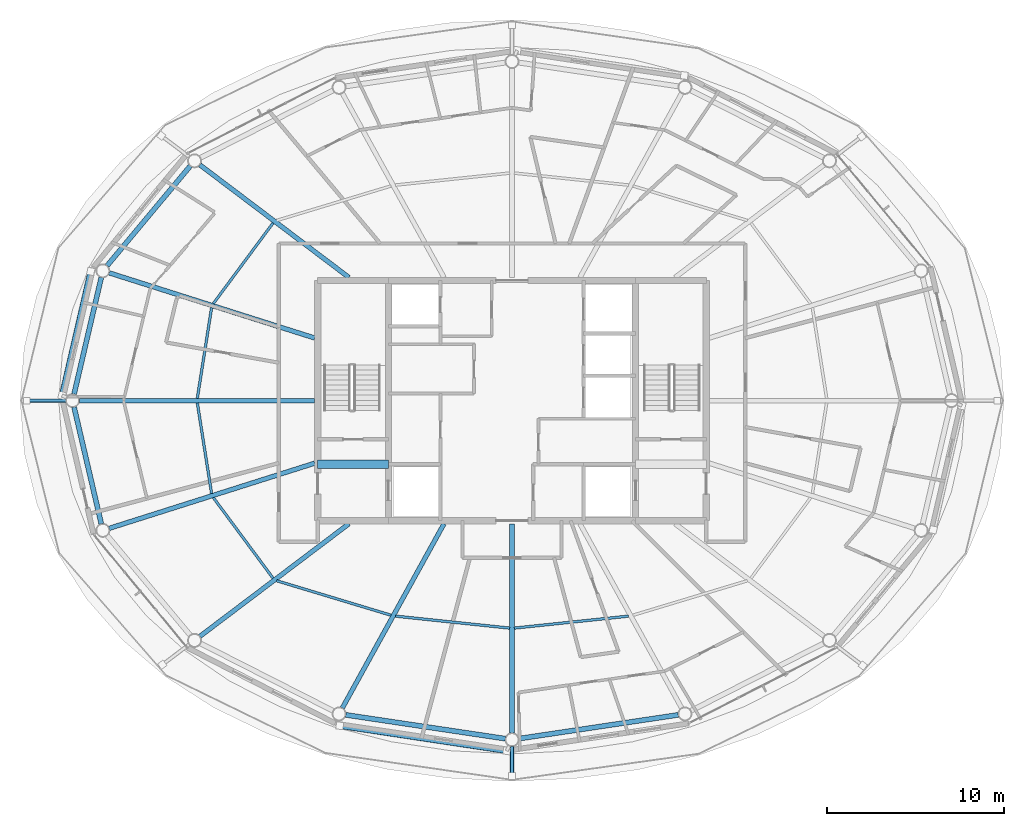
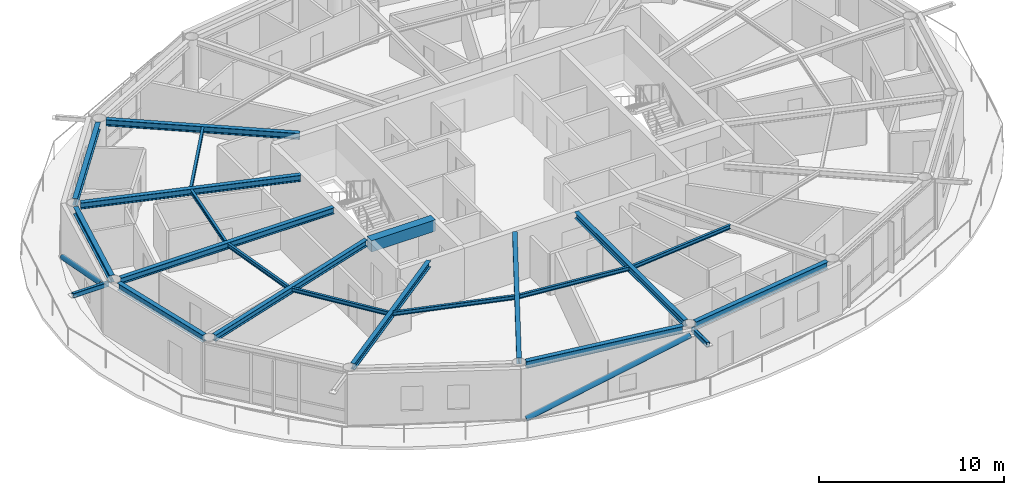
# One storey, part 4 of 23: 20 beams, 4 members.
"""IFC4 building model written with IfcOpenShell, lengths in metres."""

from ifc_helpers import new_model, si_unit, direction, frame, origin, origin_2d, place, context, subcontext, project, spatial, rectangle, hollow_rectangle, hollow_circle, i_section, extrude, material, material_profile, profile_set, type_object, element, save


model = new_model("IFC4")

# Units and contexts
model_context = context("Model", 3, precision=1e-05, world=origin(), true_north=direction((0.0, 1.0)))
body_context = subcontext(model_context, "Body", "Model", "MODEL_VIEW")
ifc_project = project(units=[si_unit("LENGTHUNIT", "METRE"), si_unit("AREAUNIT", "SQUARE_METRE"), si_unit("VOLUMEUNIT", "CUBIC_METRE"), si_unit("PLANEANGLEUNIT", "RADIAN"), si_unit("MASSUNIT", "GRAM", prefix="KILO")], contexts=[model_context])

# Site, building, storey
site_placement = place(None, origin())
site = spatial("IfcSite", under=ifc_project, at=site_placement, CompositionType="ELEMENT")
building_placement = place(site_placement, origin())
building = spatial("IfcBuilding", under=site, at=building_placement, Name="Sarneth Arch Tower", CompositionType="ELEMENT")
storey_placement = place(building_placement, frame((0.0, 0.0, 265.800048828125)))
storey = spatial("IfcBuildingStorey", under=building, at=storey_placement, Name="L68", CompositionType="ELEMENT", Elevation=265.800048828125)

# Beams
ifc_material_1 = material(Name="Steel S355", Category="steel")
ifc_material_profile_1 = material_profile(ifc_material_1, i_section(OverallWidth=0.14794921875, OverallDepth=0.26611328125, WebThickness=0.007568359375, FlangeThickness=0.012939453125, FilletRadius=0.012939453125, at=origin_2d()), Name="W250x44.8")
ifc_profile_set_1 = profile_set([ifc_material_profile_1], Name="Steel S355")
beam_type_1 = type_object("IfcBeamType", Name="BM-JOIST-250", PredefinedType="JOIST", material=ifc_profile_set_1)
beam_1_placement = place(storey_placement, frame((34.469482421875, 52.056396484375, 3.237060546875), z_axis=(-0.595431044136, -0.803406417499, 0.0), x_axis=(0.803406417499, -0.595431044136, 0.0)))
element("IfcBeam", 1, at=beam_1_placement, inside=storey, type_object=beam_type_1, Name="L68 Secondary floor joist 07", PredefinedType="JOIST", context=body_context, shape_type="SweptSolid", body=[
    extrude(i_section(OverallWidth=0.14794921875, OverallDepth=0.26611328125, WebThickness=0.007568359375, FlangeThickness=0.012939453125, FilletRadius=0.012939453125, at=origin_2d()), origin(), (0.0, 0.0, 1.0), 5.680419921875),
])
for number, where, z_axis, x_axis, name in (
    (2, (30.989501953125, 47.259765625, 3.237060546875), (-0.155520890899, -0.987832603478, 0.0), (0.987832603478, -0.155520890899, 0.0), "L68 Secondary floor joist 08"),
    (3, (30.181640625, 41.87158203125, 3.237060546875), (0.155520890899, -0.987832603478, 0.0), (0.987832603478, 0.155520890899, 0.0), "L68 Secondary floor joist 09"),
):
    element("IfcBeam", number, at=place(storey_placement, frame(where, z_axis=z_axis, x_axis=x_axis)), inside=storey, type_object=beam_type_1, Name=name, PredefinedType="JOIST", context=body_context, shape_type="SweptSolid", body=[
        extrude(i_section(OverallWidth=0.14794921875, OverallDepth=0.26611328125, WebThickness=0.007568359375, FlangeThickness=0.012939453125, FilletRadius=0.012939453125, at=origin_2d()), origin(), (0.0, 0.0, 1.0), 5.194580078125),
    ])
beam_2_placement = place(storey_placement, frame((31.087158203125, 36.50732421875, 3.237060546875), z_axis=(0.595431044136, -0.803406417499, 0.0), x_axis=(0.803406417499, 0.595431044136, 0.0)))
element("IfcBeam", 4, at=beam_2_placement, inside=storey, type_object=beam_type_1, Name="L68 Secondary floor joist 10", PredefinedType="JOIST", context=body_context, shape_type="SweptSolid", body=[
    extrude(i_section(OverallWidth=0.14794921875, OverallDepth=0.26611328125, WebThickness=0.007568359375, FlangeThickness=0.012939453125, FilletRadius=0.012939453125, at=origin_2d()), origin(), (0.0, 0.0, 1.0), 5.680419921875),
])
beam_3_placement = place(storey_placement, frame((34.67138671875, 31.801513671875, 3.237060546875), z_axis=(0.957373106971, -0.288854174367, 0.0), x_axis=(0.288854174367, 0.957373106971, 0.0)))
element("IfcBeam", 5, at=beam_3_placement, inside=storey, type_object=beam_type_1, Name="L68 Secondary floor joist 11", PredefinedType="JOIST", context=body_context, shape_type="SweptSolid", body=[
    extrude(i_section(OverallWidth=0.14794921875, OverallDepth=0.26611328125, WebThickness=0.007568359375, FlangeThickness=0.012939453125, FilletRadius=0.012939453125, at=origin_2d()), origin(), (0.0, 0.0, 1.0), 6.76416015625),
])
for number, where, z_axis, x_axis, name in (
    (6, (41.40087890625, 29.79638671875, 3.237060546875), (0.994526818736, -0.104481609938, 0.0), (0.104481609938, 0.994526818736, 0.0), "L68 Secondary floor joist 12"),
    (7, (48.12939453125, 29.11669921875, 3.237060546875), (0.994526818736, 0.104481609938, 0.0), (-0.104481609938, 0.994526818736, 0.0), "L68 Secondary floor joist 13"),
):
    element("IfcBeam", number, at=place(storey_placement, frame(where, z_axis=z_axis, x_axis=x_axis)), inside=storey, type_object=beam_type_1, Name=name, PredefinedType="JOIST", context=body_context, shape_type="SweptSolid", body=[
        extrude(i_section(OverallWidth=0.14794921875, OverallDepth=0.26611328125, WebThickness=0.007568359375, FlangeThickness=0.012939453125, FilletRadius=0.012939453125, at=origin_2d()), origin(), (0.0, 0.0, 1.0), 6.50537109375),
    ])
ifc_material_2 = material(Name="Concrete C50/60", Category="concrete")
ifc_material_profile_2 = material_profile(ifc_material_2, rectangle(XDim=0.5, YDim=0.75, at=origin_2d()), Name="RC-500x750")
ifc_profile_set_2 = profile_set([ifc_material_profile_2], Name="Concrete C50/60")
beam_type_2 = type_object("IfcBeamType", Name="BM-LINTEL-RC", PredefinedType="LINTEL", material=ifc_profile_set_2)
beam_4_placement = place(storey_placement, frame((37.0, 38.39990234375, 2.994873046875), z_axis=(1.0, 0.0, 0.0), x_axis=(0.0, 1.0, 0.0)))
element("IfcBeam", 8, at=beam_4_placement, inside=storey, type_object=beam_type_2, Name="L68 Core coupling lintel W", PredefinedType="LINTEL", context=body_context, shape_type="SweptSolid", body=[
    extrude(rectangle(XDim=0.5, YDim=0.75, at=origin_2d()), origin(), (0.0, 0.0, 1.0), 4.0),
])
ifc_material_3 = material(Name="Steel S355", Category="steel")
ifc_material_profile_3 = material_profile(ifc_material_3, i_section(OverallWidth=0.260009765625, OverallDepth=0.4150390625, WebThickness=0.010009765625, FlangeThickness=0.016845703125, FilletRadius=0.01611328125, at=origin_2d()), Name="W410x100")
ifc_profile_set_3 = profile_set([ifc_material_profile_3], Name="Steel S355")
beam_type_3 = type_object("IfcBeamType", Name="BM-RAD-410A", PredefinedType="BEAM", material=ifc_profile_set_3)
beam_5_placement = place(storey_placement, frame((38.76513671875, 48.97509765625, 3.162353515625), z_axis=(-0.797969745164, 0.602697507713, 0.0), x_axis=(-0.602697507713, -0.797969745164, 0.0)))
element("IfcBeam", 9, at=beam_5_placement, inside=storey, type_object=beam_type_3, Name="L68 Radial floor girder 07", PredefinedType="BEAM", context=body_context, shape_type="SweptSolid", body=[
    extrude(i_section(OverallWidth=0.260009765625, OverallDepth=0.4150390625, WebThickness=0.010009765625, FlangeThickness=0.016845703125, FilletRadius=0.01611328125, at=origin_2d()), origin(), (0.0, 0.0, 1.0), 10.572265625),
])
beam_6_placement = place(storey_placement, frame((36.824951171875, 45.5439453125, 3.162353515625), z_axis=(-0.953213623044, 0.302297517096, 0.0), x_axis=(-0.302297517096, -0.953213623044, 0.0)))
element("IfcBeam", 10, at=beam_6_placement, inside=storey, type_object=beam_type_3, Name="L68 Radial floor girder 08", PredefinedType="BEAM", context=body_context, shape_type="SweptSolid", body=[
    extrude(i_section(OverallWidth=0.260009765625, OverallDepth=0.4150390625, WebThickness=0.010009765625, FlangeThickness=0.016845703125, FilletRadius=0.01611328125, at=origin_2d()), origin(), (0.0, 0.0, 1.0), 12.201416015625),
])
beam_7_placement = place(storey_placement, frame((36.824951171875, 42.0, 3.162353515625), z_axis=(-1.0, 0.0, 0.0), x_axis=(0.0, -1.0, 0.0)))
element("IfcBeam", 11, at=beam_7_placement, inside=storey, type_object=beam_type_3, Name="L68 Radial floor girder 09", PredefinedType="BEAM", context=body_context, shape_type="SweptSolid", body=[
    extrude(i_section(OverallWidth=0.260009765625, OverallDepth=0.4150390625, WebThickness=0.010009765625, FlangeThickness=0.016845703125, FilletRadius=0.01611328125, at=origin_2d()), origin(), (0.0, 0.0, 1.0), 13.3271484375),
])
beam_8_placement = place(storey_placement, frame((36.824951171875, 38.4560546875, 3.162353515625), z_axis=(-0.953213623044, -0.302297517096, 0.0), x_axis=(0.302297517096, -0.953213623044, 0.0)))
element("IfcBeam", 12, at=beam_8_placement, inside=storey, type_object=beam_type_3, Name="L68 Radial floor girder 10", PredefinedType="BEAM", context=body_context, shape_type="SweptSolid", body=[
    extrude(i_section(OverallWidth=0.260009765625, OverallDepth=0.4150390625, WebThickness=0.010009765625, FlangeThickness=0.016845703125, FilletRadius=0.01611328125, at=origin_2d()), origin(), (0.0, 0.0, 1.0), 12.201416015625),
])
beam_9_placement = place(storey_placement, frame((38.76513671875, 35.02490234375, 3.162353515625), z_axis=(-0.797969745164, -0.602697507713, 0.0), x_axis=(0.602697507713, -0.797969745164, 0.0)))
element("IfcBeam", 13, at=beam_9_placement, inside=storey, type_object=beam_type_3, Name="L68 Radial floor girder 11", PredefinedType="BEAM", context=body_context, shape_type="SweptSolid", body=[
    extrude(i_section(OverallWidth=0.260009765625, OverallDepth=0.4150390625, WebThickness=0.010009765625, FlangeThickness=0.016845703125, FilletRadius=0.01611328125, at=origin_2d()), origin(), (0.0, 0.0, 1.0), 10.572265625),
])
beam_10_placement = place(storey_placement, frame((44.150146484375, 35.02490234375, 3.162353515625), z_axis=(-0.483231193732, -0.875492783182, 0.0), x_axis=(0.875492783182, -0.483231193732, 0.0)))
element("IfcBeam", 14, at=beam_10_placement, inside=storey, type_object=beam_type_3, Name="L68 Radial floor girder 12", PredefinedType="BEAM", context=body_context, shape_type="SweptSolid", body=[
    extrude(i_section(OverallWidth=0.260009765625, OverallDepth=0.4150390625, WebThickness=0.010009765625, FlangeThickness=0.016845703125, FilletRadius=0.01611328125, at=origin_2d()), origin(), (0.0, 0.0, 1.0), 11.913330078125),
])
beam_11_placement = place(storey_placement, frame((48.0, 35.02490234375, 3.162353515625), z_axis=(0.0, -1.0, 0.0), x_axis=(1.0, 0.0, 0.0)))
element("IfcBeam", 15, at=beam_11_placement, inside=storey, type_object=beam_type_3, Name="L68 Radial floor girder 13", PredefinedType="BEAM", context=body_context, shape_type="SweptSolid", body=[
    extrude(i_section(OverallWidth=0.260009765625, OverallDepth=0.4150390625, WebThickness=0.010009765625, FlangeThickness=0.016845703125, FilletRadius=0.01611328125, at=origin_2d()), origin(), (0.0, 0.0, 1.0), 11.843994140625),
])
ifc_material_4 = material(Name="Steel S355", Category="steel")
ifc_material_profile_4 = material_profile(ifc_material_4, i_section(OverallWidth=0.280029296875, OverallDepth=0.462890625, WebThickness=0.0107421875, FlangeThickness=0.017333984375, FilletRadius=0.01806640625, at=origin_2d()), Name="W460x113")
ifc_profile_set_4 = profile_set([ifc_material_profile_4], Name="Steel S355")
beam_type_4 = type_object("IfcBeamType", Name="BM-RAD-460A", PredefinedType="BEAM", material=ifc_profile_set_4)
beam_12_placement = place(storey_placement, frame((29.78076171875, 55.283935546875, 3.138427734375), z_axis=(-0.640377192996, -0.768060577487, 0.0), x_axis=(0.768060577487, -0.640377192996, 0.0)))
element("IfcBeam", 16, at=beam_12_placement, inside=storey, type_object=beam_type_4, Name="L68 Perimeter spandrel beam 07", PredefinedType="BEAM", context=body_context, shape_type="SweptSolid", body=[
    extrude(i_section(OverallWidth=0.280029296875, OverallDepth=0.462890625, WebThickness=0.0107421875, FlangeThickness=0.017333984375, FilletRadius=0.01806640625, at=origin_2d()), origin(), (0.0, 0.0, 1.0), 7.34814453125),
])
for number, where, z_axis, x_axis, name in (
    (17, (24.74462890625, 48.9765625, 3.138427734375), (-0.227227339933, -0.973841740729, 0.0), (0.973841740729, -0.227227339933, 0.0), "L68 Perimeter spandrel beam 08"),
    (18, (23.203369140625, 41.62890625, 3.138427734375), (0.227227339933, -0.973841740729, 0.0), (0.973841740729, 0.227227339933, 0.0), "L68 Perimeter spandrel beam 09"),
):
    element("IfcBeam", number, at=place(storey_placement, frame(where, z_axis=z_axis, x_axis=x_axis)), inside=storey, type_object=beam_type_4, Name=name, PredefinedType="BEAM", context=body_context, shape_type="SweptSolid", body=[
        extrude(i_section(OverallWidth=0.280029296875, OverallDepth=0.462890625, WebThickness=0.0107421875, FlangeThickness=0.017333984375, FilletRadius=0.01806640625, at=origin_2d()), origin(), (0.0, 0.0, 1.0), 6.782958984375),
    ])
for number, where, z_axis, x_axis, name in (
    (19, (38.5859375, 24.205322265625, 3.138427734375), (0.989040174637, -0.147646648973, 0.0), (0.147646648973, 0.989040174637, 0.0), "L68 Perimeter spandrel beam 12"),
    (20, (48.376708984375, 22.856201171875, 3.138427734375), (0.989040174637, 0.147646648973, 0.0), (-0.147646648973, 0.989040174637, 0.0), "L68 Perimeter spandrel beam 13"),
):
    element("IfcBeam", number, at=place(storey_placement, frame(where, z_axis=z_axis, x_axis=x_axis)), inside=storey, type_object=beam_type_4, Name=name, PredefinedType="BEAM", context=body_context, shape_type="SweptSolid", body=[
        extrude(i_section(OverallWidth=0.280029296875, OverallDepth=0.462890625, WebThickness=0.0107421875, FlangeThickness=0.017333984375, FilletRadius=0.01806640625, at=origin_2d()), origin(), (0.0, 0.0, 1.0), 9.137451171875),
    ])

# Members
ifc_material_5 = material(Name="Steel S355", Category="steel")
ifc_material_profile_5 = material_profile(ifc_material_5, hollow_rectangle(XDim=0.199951171875, YDim=0.300048828125, WallThickness=0.012451171875, InnerFilletRadius=0.018798828125, OuterFilletRadius=0.03125, at=origin_2d()), Name="RHS300x200x12.5")
ifc_profile_set_5 = profile_set([ifc_material_profile_5], Name="Steel S355")
member_type_1 = type_object("IfcMemberType", Name="MEM-CANT-STRUT", PredefinedType="STRUT", material=ifc_profile_set_5)
member_1_placement = place(storey_placement, frame((22.73583984375, 42.0, 3.2099609375), z_axis=(-1.0, 0.0, 0.0), x_axis=(0.0, -1.0, 0.0)))
element("IfcMember", 21, at=member_1_placement, inside=storey, type_object=member_type_1, Name="L68 Balcony cantilever bracket 09", PredefinedType="STRUT", context=body_context, shape_type="SweptSolid", body=[
    extrude(hollow_rectangle(XDim=0.199951171875, YDim=0.300048828125, WallThickness=0.012451171875, InnerFilletRadius=0.018798828125, OuterFilletRadius=0.03125, at=origin_2d()), origin(), (0.0, 0.0, 1.0), 2.21630859375),
])
member_2_placement = place(storey_placement, frame((48.0, 22.4189453125, 3.2099609375), z_axis=(0.0, -1.0, 0.0), x_axis=(1.0, 0.0, 0.0)))
element("IfcMember", 22, at=member_2_placement, inside=storey, type_object=member_type_1, Name="L68 Balcony cantilever bracket 13", PredefinedType="STRUT", context=body_context, shape_type="SweptSolid", body=[
    extrude(hollow_rectangle(XDim=0.199951171875, YDim=0.300048828125, WallThickness=0.012451171875, InnerFilletRadius=0.018798828125, OuterFilletRadius=0.03125, at=origin_2d()), origin(), (0.0, 0.0, 1.0), 1.671630859375),
])
ifc_material_6 = material(Name="Steel S355", Category="steel")
ifc_material_profile_6 = material_profile(ifc_material_6, hollow_circle(Radius=0.162109375, WallThickness=0.012451171875, at=origin_2d()), Name="CHS324x12.5")
ifc_profile_set_6 = profile_set([ifc_material_profile_6], Name="Steel S355")
member_type_2 = type_object("IfcMemberType", Name="MEM-DIAG-BR3", PredefinedType="BRACE", material=ifc_profile_set_6)
member_3_placement = place(storey_placement, frame((24.148193359375, 49.3154296875, 0.02001953125), z_axis=(-0.207345906073, -0.896276435764, 0.392041102347), x_axis=(0.974268900284, -0.225388797281, 0.0)))
element("IfcMember", 23, at=member_3_placement, inside=storey, type_object=member_type_2, Name="L68 Perimeter frame diagonal 08", PredefinedType="BRACE", context=body_context, shape_type="SweptSolid", body=[
    extrude(hollow_circle(Radius=0.162109375, WallThickness=0.012451171875, at=origin_2d()), origin(), (0.0, 0.0, 1.0), 7.8359375),
])
member_4_placement = place(storey_placement, frame((38.245849609375, 23.588623046875, 0.02001953125), z_axis=(0.941478053537, -0.141763681302, 0.305813886821), x_axis=(0.148897148305, 0.988852688335, 0.0)))
element("IfcMember", 24, at=member_4_placement, inside=storey, type_object=member_type_2, Name="L68 Perimeter frame diagonal 12", PredefinedType="BRACE", context=body_context, shape_type="SweptSolid", body=[
    extrude(hollow_circle(Radius=0.162109375, WallThickness=0.012451171875, at=origin_2d()), origin(), (0.0, 0.0, 1.0), 10.04541015625),
])

save(model, "model.ifc")
